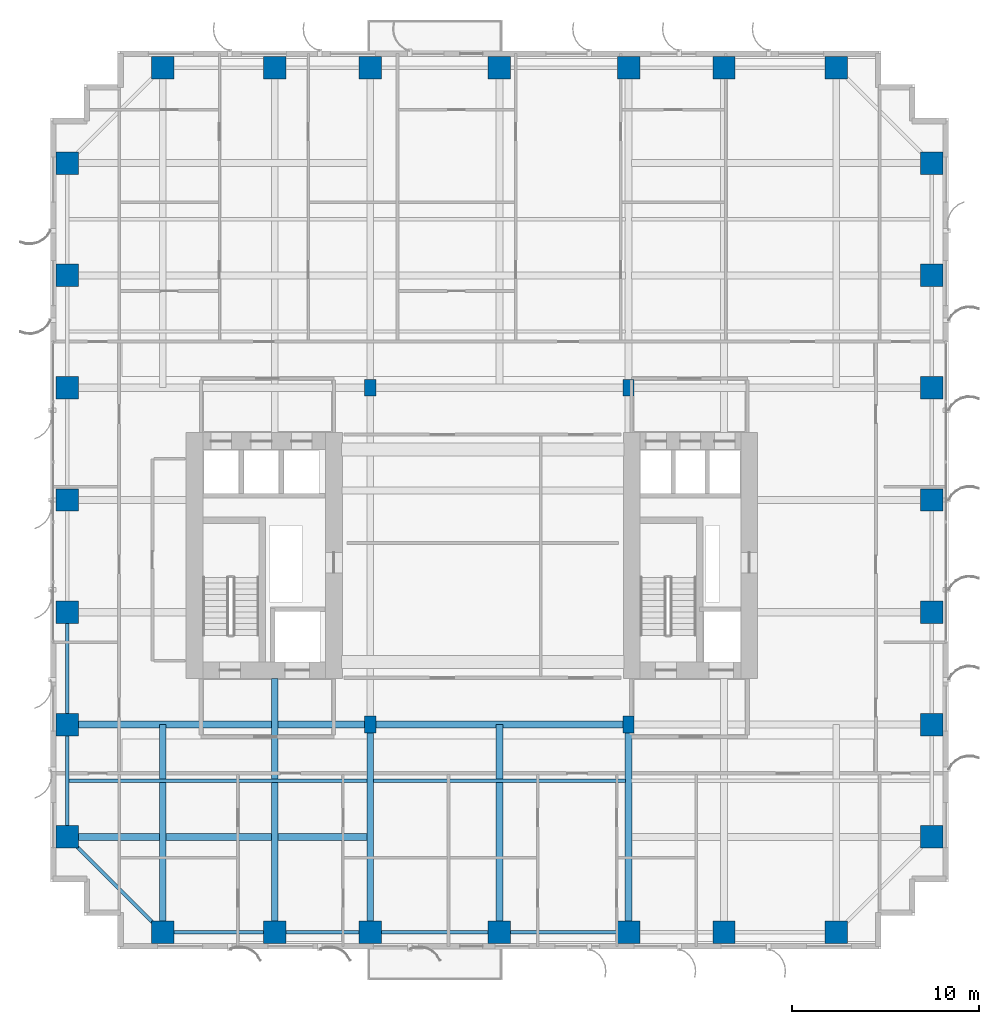
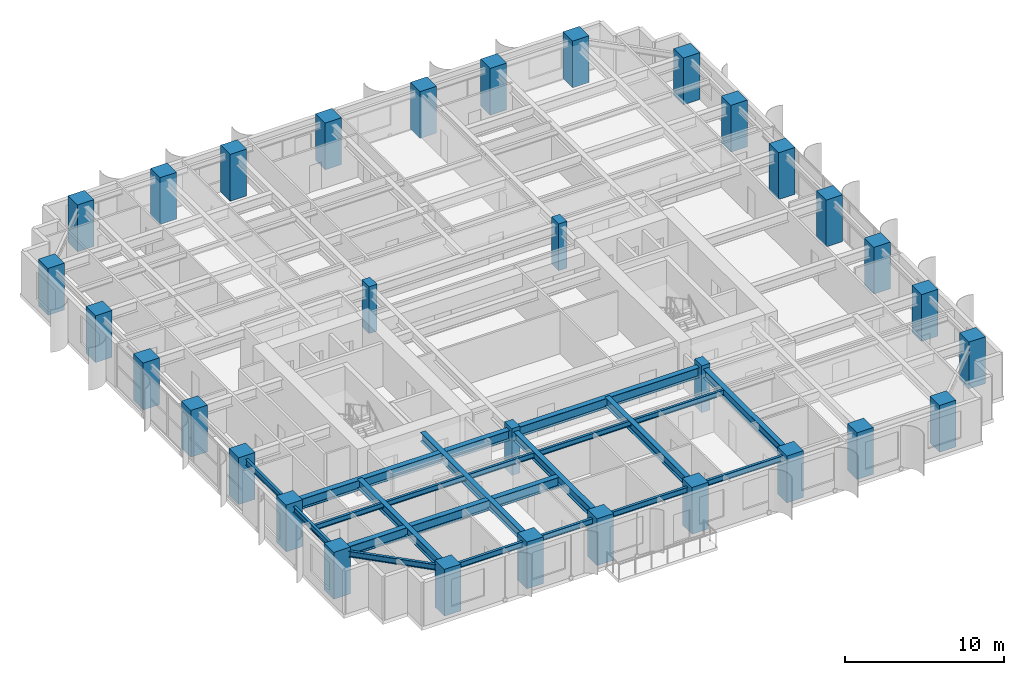
# One storey, part 1 of 18: 32 columns, 17 beams.
"""IFC4 building model written with IfcOpenShell, lengths in metres."""

import ifcopenshell
import ifcopenshell.guid

model = None  # the IFC model being written
_history = None  # IfcOwnerHistory: only IFC2X3 demands one
_inside = {}  # id of a spatial element -> (the spatial element, [elements in it])
_under = {}  # id of a project, library or spatial element -> (it, [spatial elements below it])
_declared = {}  # id of a project -> (the project, [libraries it declares])
_typed = {}  # id of a type object -> (the type object, [elements of that type])
_made_of = {}  # id of a material, layer set ... -> (it, [elements and type objects made of it])


def new_model(schema):
    """Start an empty IFC model of exactly this schema.

    Asked for "IFC4X3", IfcOpenShell would pick the latest addendum, in which some entities
    have other attributes; the version numbers below select the first issue.
    IFC2X3 requires an IfcOwnerHistory on every rooted entity: one is made here for all.
    """
    global model, _history
    if schema == "IFC4X3":
        model = ifcopenshell.file(schema_version=(4, 3, 0, 0))
    else:
        model = ifcopenshell.file(schema=schema)
    _inside.clear()
    _under.clear()
    _declared.clear()
    _typed.clear()
    _made_of.clear()
    _history = None
    if model.schema == "IFC2X3":
        org = make("IfcOrganization", Name="unknown")
        user = make(
            "IfcPersonAndOrganization",
            ThePerson=make("IfcPerson", FamilyName="unknown"),
            TheOrganization=org,
        )
        app = make(
            "IfcApplication",
            ApplicationDeveloper=org,
            Version="unknown",
            ApplicationFullName="unknown",
            ApplicationIdentifier="unknown",
        )
        _history = make(
            "IfcOwnerHistory",
            OwningUser=user,
            OwningApplication=app,
            ChangeAction="ADDED",
            CreationDate=0,
        )
    return model


def make(cls, **values):
    """One entity of the class cls with the attributes given. An attribute that is None is left unset."""
    return model.create_entity(
        cls, **{name: value for name, value in values.items() if value is not None}
    )


def rooted(cls, **values):
    """An entity with a GlobalId (a new one), such as an element, a storey or a relation."""
    return make(cls, GlobalId=ifcopenshell.guid.new(), OwnerHistory=_history, **values)


def si_unit(unit_type, name, prefix=None):
    """IfcSIUnit, for example si_unit("LENGTHUNIT", "METRE", prefix="MILLI")."""
    return make("IfcSIUnit", UnitType=unit_type, Prefix=prefix, Name=name)


def assignment(units):
    """IfcUnitAssignment: the units of a project."""
    return None if units is None else make("IfcUnitAssignment", Units=units)


def point(xyz):
    """IfcCartesianPoint."""
    return None if xyz is None else make("IfcCartesianPoint", Coordinates=xyz)


def direction(xyz):
    """IfcDirection."""
    return None if xyz is None else make("IfcDirection", DirectionRatios=xyz)


def frame(location, z_axis=None, x_axis=None):
    """IfcAxis2Placement3D, a coordinate frame: its origin and axes. An axis left out is left unset."""
    return make(
        "IfcAxis2Placement3D",
        Location=point(location),
        Axis=direction(z_axis),
        RefDirection=direction(x_axis),
    )


def frame_2d(location, x_axis=None):
    """IfcAxis2Placement2D, a coordinate frame in the plane: its origin and x axis."""
    return make(
        "IfcAxis2Placement2D", Location=point(location), RefDirection=direction(x_axis)
    )


def origin():
    """The frame at (0, 0, 0) with its axes left unset."""
    return frame((0.0, 0.0, 0.0))


def origin_2d():
    """The frame at (0, 0) in the plane with its x axis left unset."""
    return frame_2d((0.0, 0.0))


def place(relative_to, where):
    """IfcLocalPlacement: puts the frame where relative to a parent placement (None: the world)."""
    return make(
        "IfcLocalPlacement", PlacementRelTo=relative_to, RelativePlacement=where
    )


def context(
    kind, dimensions, precision=None, world=None, true_north=None, identifier=None
):
    """IfcGeometricRepresentationContext, for example the 3D "Model" context."""
    return make(
        "IfcGeometricRepresentationContext",
        ContextIdentifier=identifier,
        ContextType=kind,
        CoordinateSpaceDimension=dimensions,
        Precision=precision,
        WorldCoordinateSystem=world,
        TrueNorth=true_north,
    )


def subcontext(parent, identifier, kind, view, scale=None):
    """IfcGeometricRepresentationSubContext, for example "Body" below "Model"."""
    return make(
        "IfcGeometricRepresentationSubContext",
        ContextIdentifier=identifier,
        ContextType=kind,
        ParentContext=parent,
        TargetScale=scale,
        TargetView=view,
    )


def project(units=None, contexts=None):
    """IfcProject with its units and contexts."""
    return rooted(
        "IfcProject",
        Name="project",
        RepresentationContexts=contexts,
        UnitsInContext=assignment(units),
    )


def spatial(cls, under=None, at=None, **own):
    """A site, building, storey or space (cls), placed at a placement, below another one or the project."""
    s = rooted(cls, ObjectPlacement=at, **own)
    if under is not None:
        _under.setdefault(under.id(), (under, []))[1].append(s)
    return s


def profile(cls, at=None, kind="AREA", **sizes):
    """A parametric profile (cls). Its sizes go by their IFC names, for example OverallWidth=200.0."""
    return make(cls, ProfileType=kind, Position=at, **sizes)


def rectangle(**sizes):
    """IfcRectangleProfileDef."""
    return profile("IfcRectangleProfileDef", **sizes)


def i_section(**sizes):
    """IfcIShapeProfileDef."""
    return profile("IfcIShapeProfileDef", **sizes)


def extrude(swept, where, along, depth):
    """IfcExtrudedAreaSolid: the profile swept, set in the frame where, extruded along a direction by depth."""
    return make(
        "IfcExtrudedAreaSolid",
        SweptArea=swept,
        Position=where,
        ExtrudedDirection=direction(along),
        Depth=depth,
    )


def shape(context_of_items, identifier, shape_type, items):
    """IfcShapeRepresentation: the items that make up one representation, for example the "Body"."""
    return make(
        "IfcShapeRepresentation",
        ContextOfItems=context_of_items,
        RepresentationIdentifier=identifier,
        RepresentationType=shape_type,
        Items=items,
    )


def source(mapping_origin, context_of_items, identifier, shape_type, items):
    """IfcRepresentationMap: a shape defined once, which mapped items show again and again."""
    return make(
        "IfcRepresentationMap",
        MappingOrigin=mapping_origin,
        MappedRepresentation=shape(context_of_items, identifier, shape_type, items),
    )


def transform(
    local_origin,
    x_axis=None,
    y_axis=None,
    z_axis=None,
    scale=None,
    scale2=None,
    scale3=None,
    uniform=True,
):
    """IfcCartesianTransformationOperator3D, or its non-uniform kind. x_axis, y_axis, z_axis: its Axis1, 2, 3."""
    if uniform:
        return make(
            "IfcCartesianTransformationOperator3D",
            Axis1=direction(x_axis),
            Axis2=direction(y_axis),
            LocalOrigin=point(local_origin),
            Scale=scale,
            Axis3=direction(z_axis),
        )
    return make(
        "IfcCartesianTransformationOperator3DnonUniform",
        Axis1=direction(x_axis),
        Axis2=direction(y_axis),
        LocalOrigin=point(local_origin),
        Scale=scale,
        Axis3=direction(z_axis),
        Scale2=scale2,
        Scale3=scale3,
    )


def mapped(mapping_source, mapping_target):
    """IfcMappedItem: shows the shape of a source again, moved by a transform."""
    return make(
        "IfcMappedItem", MappingSource=mapping_source, MappingTarget=mapping_target
    )


def material(Name=None, Category=None):
    """IfcMaterial."""
    return make("IfcMaterial", Name=Name, Category=Category)


def material_profile(
    of_material, cross_section, Name=None, Category=None, Priority=None
):
    """IfcMaterialProfile: a cross section and its material."""
    return make(
        "IfcMaterialProfile",
        Name=Name,
        Material=of_material,
        Profile=cross_section,
        Priority=Priority,
        Category=Category,
    )


def profile_set(profiles, Name=None, composite=None):
    """IfcMaterialProfileSet."""
    return make(
        "IfcMaterialProfileSet",
        Name=Name,
        MaterialProfiles=profiles,
        CompositeProfile=composite,
    )


def made_of(thing, what):
    """Note that an element or type object is made of a material, layer set ...; save() writes the relation."""
    if what is not None:
        _made_of.setdefault(what.id(), (what, []))[1].append(thing)
    return thing


def type_object(cls, material=None, **own):
    """A type object (cls), such as IfcWallType, which elements share."""
    return made_of(rooted(cls, **own), material)


def element(
    cls,
    number,
    at=None,
    inside=None,
    cuts=None,
    type_object=None,
    material=None,
    context=None,
    identifier="Body",
    shape_type=None,
    held_by="IfcProductDefinitionShape",
    body=None,
    shapes=None,
    **own,
):
    """One element of the class cls, such as IfcWall. Its Tag is "e" and its number.

    at: its placement. inside: the storey or other place that contains it. cuts: it is an
    opening in that element (IfcRelVoidsElement). A single representation is given by context,
    identifier, shape_type and body (its items); several are given by shapes. held_by: the class
    of the entity that holds the representations. save() writes the other relations.
    """
    e = rooted(cls, Tag="e%d" % number, ObjectPlacement=at, **own)
    if body is not None:
        shapes = [shape(context, identifier, shape_type, body)]
    if shapes is not None:
        e.Representation = make(held_by, Representations=shapes)
    if inside is not None:
        _inside.setdefault(inside.id(), (inside, []))[1].append(e)
    if cuts is not None:
        rooted(
            "IfcRelVoidsElement", RelatingBuildingElement=cuts, RelatedOpeningElement=e
        )
    if type_object is not None:
        _typed.setdefault(type_object.id(), (type_object, []))[1].append(e)
    return made_of(e, material)


def aggregate(whole, parts):
    """IfcRelAggregates: a whole, such as a stair, and the parts it consists of."""
    return rooted("IfcRelAggregates", RelatingObject=whole, RelatedObjects=parts)


def save(model, path):
    """Write the relations noted so far, then the file.

    IfcRelAggregates (storeys below a building ...), IfcRelContainedInSpatialStructure (elements
    in a storey), IfcRelDefinesByType, IfcRelAssociatesMaterial and IfcRelDeclares: one each for
    every whole, place, type object, material and project.
    """
    for whole, parts in _under.values():
        aggregate(whole, parts)
    for where, things in _inside.values():
        rooted(
            "IfcRelContainedInSpatialStructure",
            RelatedElements=things,
            RelatingStructure=where,
        )
    for kind, things in _typed.values():
        rooted("IfcRelDefinesByType", RelatedObjects=things, RelatingType=kind)
    for what, things in _made_of.values():
        rooted("IfcRelAssociatesMaterial", RelatedObjects=things, RelatingMaterial=what)
    for by, libraries in _declared.values():
        rooted("IfcRelDeclares", RelatingContext=by, RelatedDefinitions=libraries)
    model.write(path)


model = new_model("IFC4")

# Units and contexts
model_context = context("Model", 3, precision=1e-05, world=origin(), true_north=direction((0.0, 1.0)))
body_context = subcontext(model_context, "Body", "Model", "MODEL_VIEW")
ifc_project = project(units=[si_unit("LENGTHUNIT", "METRE"), si_unit("AREAUNIT", "SQUARE_METRE"), si_unit("VOLUMEUNIT", "CUBIC_METRE"), si_unit("PLANEANGLEUNIT", "RADIAN"), si_unit("MASSUNIT", "GRAM", prefix="KILO")], contexts=[model_context])

# Site, building, storey
site_placement = place(None, origin())
site = spatial("IfcSite", under=ifc_project, at=site_placement, CompositionType="ELEMENT")
building_placement = place(site_placement, origin())
building = spatial("IfcBuilding", under=site, at=building_placement, Name="Khoralis Quay Care Tower", CompositionType="ELEMENT")
storey_placement = place(building_placement, frame((0.0, 0.0, 47.699951171875)))
storey = spatial("IfcBuildingStorey", under=building, at=storey_placement, Name="L12", CompositionType="ELEMENT", Elevation=47.699951171875)

# Columns
ifc_material_1 = material(Name="Concrete C80/95", Category="concrete")
ifc_material_profile_1 = material_profile(ifc_material_1, rectangle(XDim=1.199951171875, YDim=1.199951171875, at=origin_2d()), Name="Concrete C80/95")
ifc_profile_set_1 = profile_set([ifc_material_profile_1], Name="Concrete C80/95")
column_type_1 = type_object("IfcColumnType", Name="COL-C1200", PredefinedType="COLUMN", material=ifc_profile_set_1)
shared_shape_1 = source(origin(), body_context, "Body", "SweptSolid", [
    extrude(rectangle(XDim=1.199951171875, YDim=1.199951171875, at=origin_2d()), origin(), (0.0, 0.0, 1.0), 3.60009765625),
])
for number, where, z_axis, x_axis, name in (
    (1, (6.0, 0.89990234375, 0.0), (0.0, 0.0, 1.0), (1.0, 0.0, 0.0), "COL-TWR-L12-01"),
    (2, (6.0, 47.10009765625, 0.0), (0.0, 0.0, 1.0), (1.0, 0.0, 0.0), "COL-TWR-L12-02"),
    (3, (12.0, 0.89990234375, 0.0), (0.0, 0.0, 1.0), (1.0, 0.0, 0.0), "COL-TWR-L12-03"),
    (4, (12.0, 47.10009765625, 0.0), (0.0, 0.0, 1.0), (1.0, 0.0, 0.0), "COL-TWR-L12-04"),
    (5, (17.10009765625, 0.89990234375, 0.0), (0.0, 0.0, 1.0), (1.0, 0.0, 0.0), "COL-TWR-L12-05"),
    (6, (17.10009765625, 47.10009765625, 0.0), (0.0, 0.0, 1.0), (1.0, 0.0, 0.0), "COL-TWR-L12-06"),
    (7, (24.0, 0.89990234375, 0.0), (0.0, 0.0, 1.0), (1.0, 0.0, 0.0), "COL-TWR-L12-07"),
    (8, (24.0, 47.10009765625, 0.0), (0.0, 0.0, 1.0), (1.0, 0.0, 0.0), "COL-TWR-L12-08"),
    (9, (30.89990234375, 0.89990234375, 0.0), (0.0, 0.0, 1.0), (1.0, 0.0, 0.0), "COL-TWR-L12-09"),
    (10, (30.89990234375, 47.10009765625, 0.0), (0.0, 0.0, 1.0), (1.0, 0.0, 0.0), "COL-TWR-L12-10"),
    (11, (36.0, 0.89990234375, 0.0), (0.0, 0.0, 1.0), (1.0, 0.0, 0.0), "COL-TWR-L12-11"),
    (12, (36.0, 47.10009765625, 0.0), (0.0, 0.0, 1.0), (1.0, 0.0, 0.0), "COL-TWR-L12-12"),
    (13, (42.0, 0.89990234375, 0.0), (0.0, 0.0, 1.0), (1.0, 0.0, 0.0), "COL-TWR-L12-13"),
    (14, (42.0, 47.10009765625, 0.0), (0.0, 0.0, 1.0), (1.0, 0.0, 0.0), "COL-TWR-L12-14"),
    (15, (0.89990234375, 6.0, 0.0), (0.0, 0.0, 1.0), (1.0, 0.0, 0.0), "COL-TWR-L12-15"),
    (16, (47.10009765625, 6.0, 0.0), (0.0, 0.0, 1.0), (1.0, 0.0, 0.0), "COL-TWR-L12-16"),
    (17, (0.89990234375, 12.0, 0.0), (0.0, 0.0, 1.0), (1.0, 0.0, 0.0), "COL-TWR-L12-17"),
    (18, (47.10009765625, 12.0, 0.0), (0.0, 0.0, 1.0), (1.0, 0.0, 0.0), "COL-TWR-L12-18"),
    (19, (0.89990234375, 18.0, 0.0), (0.0, 0.0, 1.0), (1.0, 0.0, 0.0), "COL-TWR-L12-19"),
    (20, (47.10009765625, 18.0, 0.0), (0.0, 0.0, 1.0), (1.0, 0.0, 0.0), "COL-TWR-L12-20"),
    (21, (0.89990234375, 24.0, 0.0), (0.0, 0.0, 1.0), (1.0, 0.0, 0.0), "COL-TWR-L12-21"),
    (22, (47.10009765625, 24.0, 0.0), (0.0, 0.0, 1.0), (1.0, 0.0, 0.0), "COL-TWR-L12-22"),
    (23, (0.89990234375, 30.0, 0.0), (0.0, 0.0, 1.0), (1.0, 0.0, 0.0), "COL-TWR-L12-23"),
    (24, (47.10009765625, 30.0, 0.0), (0.0, 0.0, 1.0), (1.0, 0.0, 0.0), "COL-TWR-L12-24"),
    (25, (0.89990234375, 36.0, 0.0), (0.0, 0.0, 1.0), (1.0, 0.0, 0.0), "COL-TWR-L12-25"),
    (26, (47.10009765625, 36.0, 0.0), (0.0, 0.0, 1.0), (1.0, 0.0, 0.0), "COL-TWR-L12-26"),
    (27, (0.89990234375, 42.0, 0.0), (0.0, 0.0, 1.0), (1.0, 0.0, 0.0), "COL-TWR-L12-27"),
    (28, (47.10009765625, 42.0, 0.0), (0.0, 0.0, 1.0), (1.0, 0.0, 0.0), "COL-TWR-L12-28"),
):
    element("IfcColumn", number, at=place(storey_placement, frame(where, z_axis=z_axis, x_axis=x_axis)), inside=storey, type_object=column_type_1, Name=name, PredefinedType="COLUMN", context=body_context, shape_type="MappedRepresentation", body=[
        mapped(shared_shape_1, transform((0.0, 0.0, 0.0), scale=1.0)),
    ])
ifc_material_2 = material(Name="Concrete C65/80", Category="concrete")
ifc_material_profile_2 = material_profile(ifc_material_2, rectangle(XDim=0.60009765625, YDim=0.89990234375, at=origin_2d()), Name="Concrete C65/80")
ifc_profile_set_2 = profile_set([ifc_material_profile_2], Name="Concrete C65/80")
column_type_2 = type_object("IfcColumnType", Name="COL-C600X900", PredefinedType="COLUMN", material=ifc_profile_set_2)
shared_shape_2 = source(origin(), body_context, "Body", "SweptSolid", [
    extrude(rectangle(XDim=0.60009765625, YDim=0.89990234375, at=origin_2d()), origin(), (0.0, 0.0, 1.0), 3.60009765625),
])
for number, where, z_axis, x_axis, name in (
    (29, (17.10009765625, 12.0, 0.0), (0.0, 0.0, 1.0), (1.0, 0.0, 0.0), "COL-TWR-L12-29"),
    (30, (17.10009765625, 30.0, 0.0), (0.0, 0.0, 1.0), (1.0, 0.0, 0.0), "COL-TWR-L12-30"),
    (31, (30.89990234375, 12.0, 0.0), (0.0, 0.0, 1.0), (1.0, 0.0, 0.0), "COL-TWR-L12-31"),
    (32, (30.89990234375, 30.0, 0.0), (0.0, 0.0, 1.0), (1.0, 0.0, 0.0), "COL-TWR-L12-32"),
):
    element("IfcColumn", number, at=place(storey_placement, frame(where, z_axis=z_axis, x_axis=x_axis)), inside=storey, type_object=column_type_2, Name=name, PredefinedType="COLUMN", context=body_context, shape_type="MappedRepresentation", body=[
        mapped(shared_shape_2, transform((0.0, 0.0, 0.0), scale=1.0)),
    ])

# Beams
ifc_material_3 = material(Name="Steel S355", Category="steel")
ifc_material_profile_3 = material_profile(ifc_material_3, i_section(OverallWidth=0.18994140625, OverallDepth=0.449951171875, WebThickness=0.009521484375, FlangeThickness=0.0146484375, FilletRadius=0.02099609375, at=origin_2d()), Name="Steel S355")
ifc_profile_set_3 = profile_set([ifc_material_profile_3], Name="Steel S355")
beam_type_1 = type_object("IfcBeamType", Name="BM-IPE450", PredefinedType="SPANDREL", material=ifc_profile_set_3)
shared_shape_3 = source(origin(), body_context, "Body", "SweptSolid", [
    extrude(i_section(OverallWidth=0.18994140625, OverallDepth=0.449951171875, WebThickness=0.009521484375, FlangeThickness=0.0146484375, FilletRadius=0.02099609375, at=origin_2d()), origin(), (0.0, 0.0, 1.0), 6.0),
])
for number, where, z_axis, x_axis, name in (
    (33, (6.0, 0.89990234375, 3.094970703125), (1.0, 0.0, 0.0), (0.0, 1.0, 0.0), "BM-TSP-L12-01"),
    (34, (0.89990234375, 6.0, 3.094970703125), (0.0, 1.0, 0.0), (-1.0, 0.0, 0.0), "BM-TSP-L12-13"),
    (35, (0.89990234375, 12.0, 3.094970703125), (0.0, 1.0, 0.0), (-1.0, 0.0, 0.0), "BM-TSP-L12-14"),
):
    element("IfcBeam", number, at=place(storey_placement, frame(where, z_axis=z_axis, x_axis=x_axis)), inside=storey, type_object=beam_type_1, Name=name, PredefinedType="SPANDREL", context=body_context, shape_type="MappedRepresentation", body=[
        mapped(shared_shape_3, transform((0.0, 0.0, 0.0), scale=1.0)),
    ])
shared_shape_4 = source(origin(), body_context, "Body", "SweptSolid", [
    extrude(i_section(OverallWidth=0.18994140625, OverallDepth=0.449951171875, WebThickness=0.009521484375, FlangeThickness=0.0146484375, FilletRadius=0.02099609375, at=origin_2d()), origin(), (0.0, 0.0, 1.0), 5.10009765625),
])
beam_1_placement = place(storey_placement, frame((12.0, 0.89990234375, 3.094970703125), z_axis=(1.0, 0.0, 0.0), x_axis=(0.0, 1.0, 0.0)))
element("IfcBeam", 36, at=beam_1_placement, inside=storey, type_object=beam_type_1, Name="BM-TSP-L12-02", PredefinedType="SPANDREL", context=body_context, shape_type="MappedRepresentation", body=[
    mapped(shared_shape_4, transform((0.0, 0.0, 0.0), scale=1.0)),
])
shared_shape_5 = source(origin(), body_context, "Body", "SweptSolid", [
    extrude(i_section(OverallWidth=0.18994140625, OverallDepth=0.449951171875, WebThickness=0.009521484375, FlangeThickness=0.0146484375, FilletRadius=0.02099609375, at=origin_2d()), origin(), (0.0, 0.0, 1.0), 6.89990234375),
])
for number, where, z_axis, x_axis, name in (
    (37, (17.10009765625, 0.89990234375, 3.094970703125), (1.0, 0.0, 0.0), (0.0, 1.0, 0.0), "BM-TSP-L12-03"),
    (38, (24.0, 0.89990234375, 3.094970703125), (1.0, 0.0, 0.0), (0.0, 1.0, 0.0), "BM-TSP-L12-04"),
):
    element("IfcBeam", number, at=place(storey_placement, frame(where, z_axis=z_axis, x_axis=x_axis)), inside=storey, type_object=beam_type_1, Name=name, PredefinedType="SPANDREL", context=body_context, shape_type="MappedRepresentation", body=[
        mapped(shared_shape_5, transform((0.0, 0.0, 0.0), scale=1.0)),
    ])
shared_shape_6 = source(origin(), body_context, "Body", "SweptSolid", [
    extrude(i_section(OverallWidth=0.18994140625, OverallDepth=0.449951171875, WebThickness=0.009521484375, FlangeThickness=0.0146484375, FilletRadius=0.02099609375, at=origin_2d()), origin(), (0.0, 0.0, 1.0), 7.212646484375),
])
beam_2_placement = place(storey_placement, frame((6.0, 0.89990234375, 3.094970703125), z_axis=(-0.707106781187, 0.707106781187, 0.0), x_axis=(-0.707106781187, -0.707106781187, 0.0)))
element("IfcBeam", 39, at=beam_2_placement, inside=storey, type_object=beam_type_1, Name="BM-TCR-L12-25", PredefinedType="SPANDREL", context=body_context, shape_type="MappedRepresentation", body=[
    mapped(shared_shape_6, transform((0.0, 0.0, 0.0), scale=1.0)),
])
ifc_material_profile_4 = material_profile(ifc_material_3, i_section(OverallWidth=0.381103515625, OverallDepth=0.77294921875, WebThickness=0.0166015625, FlangeThickness=0.027587890625, FilletRadius=0.02197265625, at=origin_2d()), Name="Steel S355")
ifc_profile_set_4 = profile_set([ifc_material_profile_4], Name="Steel S355")
beam_type_2 = type_object("IfcBeamType", Name="BM-W760X257", PredefinedType="BEAM", material=ifc_profile_set_4)
shared_shape_7 = source(origin(), body_context, "Body", "SweptSolid", [
    extrude(i_section(OverallWidth=0.381103515625, OverallDepth=0.77294921875, WebThickness=0.0166015625, FlangeThickness=0.027587890625, FilletRadius=0.02197265625, at=origin_2d()), origin(), (0.0, 0.0, 1.0), 16.03466796875),
])
beam_3_placement = place(storey_placement, frame((0.89990234375, 6.0, 2.93359375), z_axis=(1.0, 0.0, 0.0), x_axis=(0.0, 1.0, 0.0)))
element("IfcBeam", 40, at=beam_3_placement, inside=storey, type_object=beam_type_2, Name="BM-TGXW-L12-60", PredefinedType="BEAM", context=body_context, shape_type="MappedRepresentation", body=[
    mapped(shared_shape_7, transform((0.0, 0.0, 0.0), scale=1.0)),
])
shared_shape_8 = source(origin(), body_context, "Body", "SweptSolid", [
    extrude(i_section(OverallWidth=0.381103515625, OverallDepth=0.77294921875, WebThickness=0.0166015625, FlangeThickness=0.027587890625, FilletRadius=0.02197265625, at=origin_2d()), origin(), (0.0, 0.0, 1.0), 16.2001953125),
])
beam_4_placement = place(storey_placement, frame((0.89990234375, 12.0, 2.93359375), z_axis=(1.0, 0.0, 0.0), x_axis=(0.0, 1.0, 0.0)))
element("IfcBeam", 41, at=beam_4_placement, inside=storey, type_object=beam_type_2, Name="BM-TGXW-L12-120", PredefinedType="BEAM", context=body_context, shape_type="MappedRepresentation", body=[
    mapped(shared_shape_8, transform((0.0, 0.0, 0.0), scale=1.0)),
])
shared_shape_9 = source(origin(), body_context, "Body", "SweptSolid", [
    extrude(i_section(OverallWidth=0.381103515625, OverallDepth=0.77294921875, WebThickness=0.0166015625, FlangeThickness=0.027587890625, FilletRadius=0.02197265625, at=origin_2d()), origin(), (0.0, 0.0, 1.0), 13.7998046875),
])
beam_5_placement = place(storey_placement, frame((17.10009765625, 12.0, 2.93359375), z_axis=(1.0, 0.0, 0.0), x_axis=(0.0, 1.0, 0.0)))
element("IfcBeam", 42, at=beam_5_placement, inside=storey, type_object=beam_type_2, Name="BM-TGCC-L12-120", PredefinedType="BEAM", context=body_context, shape_type="MappedRepresentation", body=[
    mapped(shared_shape_9, transform((0.0, 0.0, 0.0), scale=1.0)),
])
ifc_material_profile_5 = material_profile(ifc_material_3, i_section(OverallWidth=0.35498046875, OverallDepth=0.695068359375, WebThickness=0.015380859375, FlangeThickness=0.02490234375, FilletRadius=0.02001953125, at=origin_2d()), Name="Steel S355")
ifc_profile_set_5 = profile_set([ifc_material_profile_5], Name="Steel S355")
beam_type_3 = type_object("IfcBeamType", Name="BM-W690X217", PredefinedType="BEAM", material=ifc_profile_set_5)
shared_shape_10 = source(origin(), body_context, "Body", "SweptSolid", [
    extrude(i_section(OverallWidth=0.35498046875, OverallDepth=0.695068359375, WebThickness=0.015380859375, FlangeThickness=0.02490234375, FilletRadius=0.02001953125, at=origin_2d()), origin(), (0.0, 0.0, 1.0), 11.10009765625),
])
for number, where, z_axis, x_axis, name in (
    (43, (6.0, 0.89990234375, 2.97265625), (0.0, 1.0, 0.0), (-1.0, 0.0, 0.0), "BM-TGYS-L12-60"),
    (44, (17.10009765625, 0.89990234375, 2.97265625), (0.0, 1.0, 0.0), (-1.0, 0.0, 0.0), "BM-TGYS-L12-171"),
    (45, (24.0, 0.89990234375, 2.97265625), (0.0, 1.0, 0.0), (-1.0, 0.0, 0.0), "BM-TGYS-L12-240"),
    (46, (30.89990234375, 0.89990234375, 2.97265625), (0.0, 1.0, 0.0), (-1.0, 0.0, 0.0), "BM-TGYS-L12-309"),
):
    element("IfcBeam", number, at=place(storey_placement, frame(where, z_axis=z_axis, x_axis=x_axis)), inside=storey, type_object=beam_type_3, Name=name, PredefinedType="BEAM", context=body_context, shape_type="MappedRepresentation", body=[
        mapped(shared_shape_10, transform((0.0, 0.0, 0.0), scale=1.0)),
    ])
shared_shape_11 = source(origin(), body_context, "Body", "SweptSolid", [
    extrude(i_section(OverallWidth=0.35498046875, OverallDepth=0.695068359375, WebThickness=0.015380859375, FlangeThickness=0.02490234375, FilletRadius=0.02001953125, at=origin_2d()), origin(), (0.0, 0.0, 1.0), 13.552001953125),
])
beam_6_placement = place(storey_placement, frame((12.0, 0.89990234375, 2.97265625), z_axis=(0.0, 1.0, 0.0), x_axis=(-1.0, 0.0, 0.0)))
element("IfcBeam", 47, at=beam_6_placement, inside=storey, type_object=beam_type_3, Name="BM-TGYS-L12-120", PredefinedType="BEAM", context=body_context, shape_type="MappedRepresentation", body=[
    mapped(shared_shape_11, transform((0.0, 0.0, 0.0), scale=1.0)),
])
ifc_material_profile_6 = material_profile(ifc_material_3, i_section(OverallWidth=0.177978515625, OverallDepth=0.406982421875, WebThickness=0.0078125, FlangeThickness=0.0126953125, FilletRadius=0.012939453125, at=origin_2d()), Name="Steel S355")
ifc_profile_set_6 = profile_set([ifc_material_profile_6], Name="Steel S355")
beam_type_4 = type_object("IfcBeamType", Name="BM-W410X60", PredefinedType="JOIST", material=ifc_profile_set_6)
shared_shape_12 = source(origin(), body_context, "Body", "SweptSolid", [
    extrude(i_section(OverallWidth=0.177978515625, OverallDepth=0.406982421875, WebThickness=0.0078125, FlangeThickness=0.0126953125, FilletRadius=0.012939453125, at=origin_2d()), origin(), (0.0, 0.0, 1.0), 15.95361328125),
])
beam_7_placement = place(storey_placement, frame((0.98095703125, 9.0, 3.116455078125), z_axis=(1.0, 0.0, 0.0), x_axis=(0.0, 1.0, 0.0)))
element("IfcBeam", 48, at=beam_7_placement, inside=storey, type_object=beam_type_4, Name="BM-TJS-L12-29", PredefinedType="JOIST", context=body_context, shape_type="MappedRepresentation", body=[
    mapped(shared_shape_12, transform((0.0, 0.0, 0.0), scale=1.0)),
])
shared_shape_13 = source(origin(), body_context, "Body", "SweptSolid", [
    extrude(i_section(OverallWidth=0.177978515625, OverallDepth=0.406982421875, WebThickness=0.0078125, FlangeThickness=0.0126953125, FilletRadius=0.012939453125, at=origin_2d()), origin(), (0.0, 0.0, 1.0), 13.46923828125),
])
beam_8_placement = place(storey_placement, frame((17.265380859375, 9.0, 3.116455078125), z_axis=(1.0, 0.0, 0.0), x_axis=(0.0, 1.0, 0.0)))
element("IfcBeam", 49, at=beam_8_placement, inside=storey, type_object=beam_type_4, Name="BM-TJS-L12-31", PredefinedType="JOIST", context=body_context, shape_type="MappedRepresentation", body=[
    mapped(shared_shape_13, transform((0.0, 0.0, 0.0), scale=1.0)),
])

save(model, "model.ifc")
